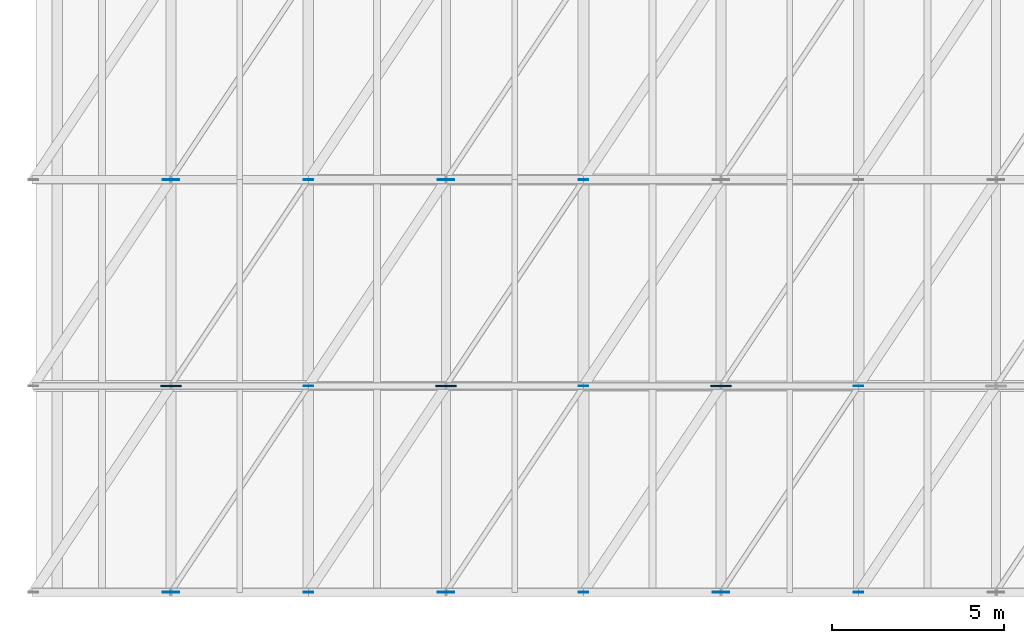
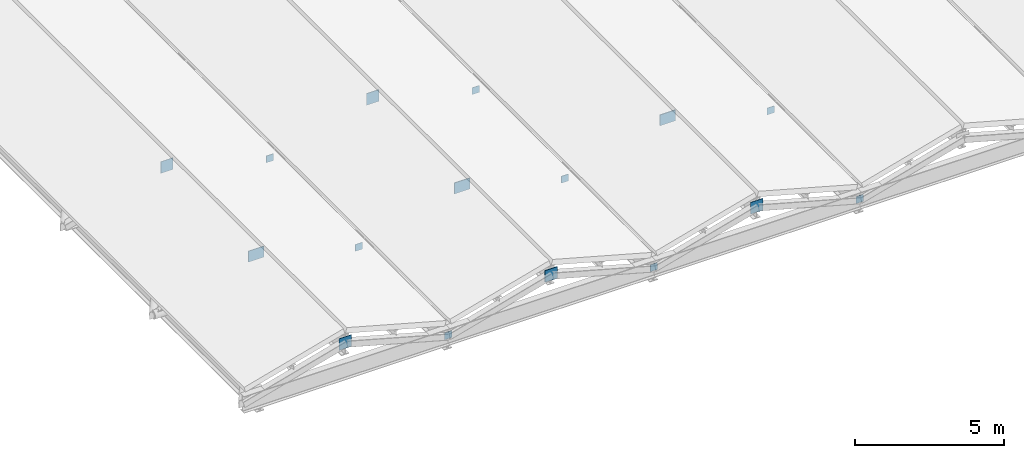
# One storey, part 12 of 27: 16 plates.
"""IFC4 building model written with IfcOpenShell, lengths in metres."""

from ifc_helpers import new_model, si_unit, direction, frame, origin, origin_2d, place, context, subcontext, project, spatial, rectangle, extrude, material, layer, layer_set, type_object, element, save


model = new_model("IFC4")

# Units and contexts
model_context = context("Model", 3, precision=1e-05, world=origin(), true_north=direction((0.0, 1.0)))
body_context = subcontext(model_context, "Body", "Model", "MODEL_VIEW")
ifc_project = project(units=[si_unit("LENGTHUNIT", "METRE"), si_unit("AREAUNIT", "SQUARE_METRE"), si_unit("VOLUMEUNIT", "CUBIC_METRE"), si_unit("PLANEANGLEUNIT", "RADIAN"), si_unit("MASSUNIT", "GRAM", prefix="KILO")], contexts=[model_context])

# Site, building, storey
site_placement = place(None, origin())
site = spatial("IfcSite", under=ifc_project, at=site_placement, CompositionType="ELEMENT")
building_placement = place(site_placement, origin())
building = spatial("IfcBuilding", under=site, at=building_placement, Name="Verrall Gate Interchange", CompositionType="ELEMENT")
storey_placement = place(building_placement, frame((0.0, 0.0, 32.800048828125)))
storey = spatial("IfcBuildingStorey", under=building, at=storey_placement, Name="RF", CompositionType="ELEMENT", Elevation=32.800048828125)

# Plates
ifc_material_1 = material(Name="Structural Steel CSA G40.21 350WT Cat 4", Category="steel")
ifc_layer_1 = layer(ifc_material_1, 0.02001953125)
ifc_layer_set_1 = layer_set([ifc_layer_1], Name="Structural Steel CSA G40.21 350WT Cat 4")
plate_type_1 = type_object("IfcPlateType", Name="GP-01 Gusset Plate 20", PredefinedType="SHEET", material=ifc_layer_set_1)
for number, where, z_axis, x_axis, name in (
    (1, (40.0, 12.0, -15.9482421875), (0.0, 0.0, 1.0), (1.0, 0.0, 0.0), "Folded-Plate Ridge Gusset Node KN-R1-0"),
    (2, (40.0, 24.0, -15.9482421875), (0.0, 0.0, 1.0), (1.0, 0.0, 0.0), "Folded-Plate Ridge Gusset Node KN-R1-2"),
    (3, (48.0, 12.0, -15.9482421875), (0.0, 0.0, 1.0), (1.0, 0.0, 0.0), "Folded-Plate Ridge Gusset Node KN-R2-0"),
):
    element("IfcPlate", number, at=place(storey_placement, frame(where, z_axis=z_axis, x_axis=x_axis)), inside=storey, type_object=plate_type_1, Name=name, PredefinedType="SHEET", context=body_context, shape_type="SweptSolid", body=[
        extrude(rectangle(XDim=0.47998046875, YDim=0.02001953125, at=origin_2d()), origin(), (0.0, 0.0, 1.0), 0.47998046875),
    ])
for number, where, z_axis, x_axis, name in (
    (4, (44.0, 12.0, -16.9482421875), (0.0, 0.0, 1.0), (1.0, 0.0, 0.0), "Folded-Plate Valley Gusset Node KN-V2-0-0"),
    (5, (44.0, 18.0, -16.9482421875), (0.0, 0.0, 1.0), (1.0, 0.0, 0.0), "Folded-Plate Valley Gusset Node KN-V2-0-1"),
):
    element("IfcPlate", number, at=place(storey_placement, frame(where, z_axis=z_axis, x_axis=x_axis)), inside=storey, type_object=plate_type_1, Name=name, PredefinedType="SHEET", context=body_context, shape_type="SweptSolid", body=[
        extrude(rectangle(XDim=0.280029296875, YDim=0.02001953125, at=origin_2d()), origin(), (0.0, 0.0, 1.0), 0.280029296875),
    ])
plate_1_placement = place(storey_placement, frame((48.0, 24.0, -15.9482421875), z_axis=(0.0, 0.0, 1.0), x_axis=(1.0, 0.0, 0.0)))
element("IfcPlate", 6, at=plate_1_placement, inside=storey, type_object=plate_type_1, Name="Folded-Plate Ridge Gusset Node KN-R2-2", PredefinedType="SHEET", context=body_context, shape_type="SweptSolid", body=[
    extrude(rectangle(XDim=0.47998046875, YDim=0.02001953125, at=origin_2d()), origin(), (0.0, 0.0, 1.0), 0.47998046875),
])
plate_2_placement = place(storey_placement, frame((44.0, 24.0, -16.9482421875), z_axis=(0.0, 0.0, 1.0), x_axis=(1.0, 0.0, 0.0)))
element("IfcPlate", 7, at=plate_2_placement, inside=storey, type_object=plate_type_1, Name="Folded-Plate Valley Gusset Node KN-V2-0-2", PredefinedType="SHEET", context=body_context, shape_type="SweptSolid", body=[
    extrude(rectangle(XDim=0.280029296875, YDim=0.02001953125, at=origin_2d()), origin(), (0.0, 0.0, 1.0), 0.280029296875),
])
plate_3_placement = place(storey_placement, frame((56.0, 12.0, -15.9482421875), z_axis=(0.0, 0.0, 1.0), x_axis=(1.0, 0.0, 0.0)))
element("IfcPlate", 8, at=plate_3_placement, inside=storey, type_object=plate_type_1, Name="Folded-Plate Ridge Gusset Node KN-R3-0", PredefinedType="SHEET", context=body_context, shape_type="SweptSolid", body=[
    extrude(rectangle(XDim=0.47998046875, YDim=0.02001953125, at=origin_2d()), origin(), (0.0, 0.0, 1.0), 0.47998046875),
])
for number, where, z_axis, x_axis, name in (
    (9, (52.0, 12.0, -16.9482421875), (0.0, 0.0, 1.0), (1.0, 0.0, 0.0), "Folded-Plate Valley Gusset Node KN-V3-0-0"),
    (10, (52.0, 18.0, -16.9482421875), (0.0, 0.0, 1.0), (1.0, 0.0, 0.0), "Folded-Plate Valley Gusset Node KN-V3-0-1"),
    (11, (52.0, 24.0, -16.9482421875), (0.0, 0.0, 1.0), (1.0, 0.0, 0.0), "Folded-Plate Valley Gusset Node KN-V3-0-2"),
    (12, (60.0, 12.0, -16.9482421875), (0.0, 0.0, 1.0), (1.0, 0.0, 0.0), "Folded-Plate Valley Gusset Node KN-V4-0-0"),
    (13, (60.0, 18.0, -16.9482421875), (0.0, 0.0, 1.0), (1.0, 0.0, 0.0), "Folded-Plate Valley Gusset Node KN-V4-0-1"),
):
    element("IfcPlate", number, at=place(storey_placement, frame(where, z_axis=z_axis, x_axis=x_axis)), inside=storey, type_object=plate_type_1, Name=name, PredefinedType="SHEET", context=body_context, shape_type="SweptSolid", body=[
        extrude(rectangle(XDim=0.280029296875, YDim=0.02001953125, at=origin_2d()), origin(), (0.0, 0.0, 1.0), 0.280029296875),
    ])
ifc_material_2 = material(Name="Structural Steel CSA G40.21 350WT Cat 4", Category="steel")
ifc_layer_2 = layer(ifc_material_2, 0.030029296875)
ifc_layer_set_2 = layer_set([ifc_layer_2], Name="Structural Steel CSA G40.21 350WT Cat 4")
plate_type_2 = type_object("IfcPlateType", Name="GP-02 Gusset Plate 30", PredefinedType="SHEET", material=ifc_layer_set_2)
for number, where, z_axis, x_axis, name in (
    (14, (40.0, 18.0, -15.93310546875), (0.0, 0.0, 1.0), (1.0, 0.0, 0.0), "Folded-Plate Ridge Gusset Node KN-R1-1"),
    (15, (48.0, 18.0, -15.93310546875), (0.0, 0.0, 1.0), (1.0, 0.0, 0.0), "Folded-Plate Ridge Gusset Node KN-R2-1"),
    (16, (56.0, 18.0, -15.93310546875), (0.0, 0.0, 1.0), (1.0, 0.0, 0.0), "Folded-Plate Ridge Gusset Node KN-R3-1"),
):
    element("IfcPlate", number, at=place(storey_placement, frame(where, z_axis=z_axis, x_axis=x_axis)), inside=storey, type_object=plate_type_2, Name=name, PredefinedType="SHEET", context=body_context, shape_type="SweptSolid", body=[
        extrude(rectangle(XDim=0.60009765625, YDim=0.030029296875, at=origin_2d()), origin(), (0.0, 0.0, 1.0), 0.449951171875),
    ])

save(model, "model.ifc")
